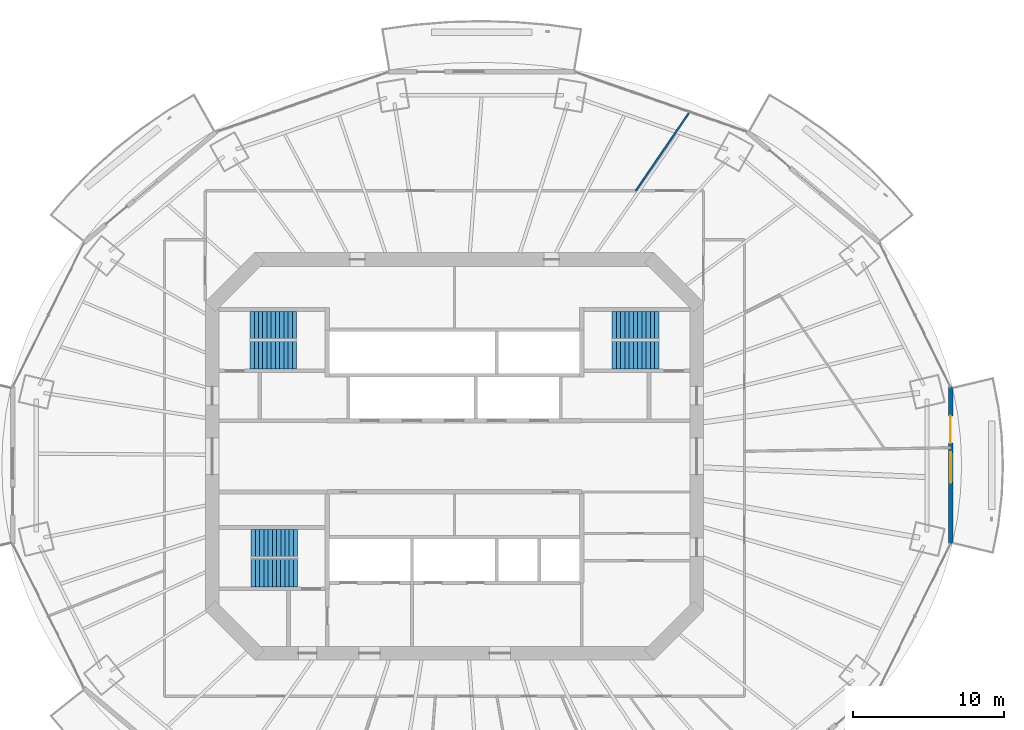
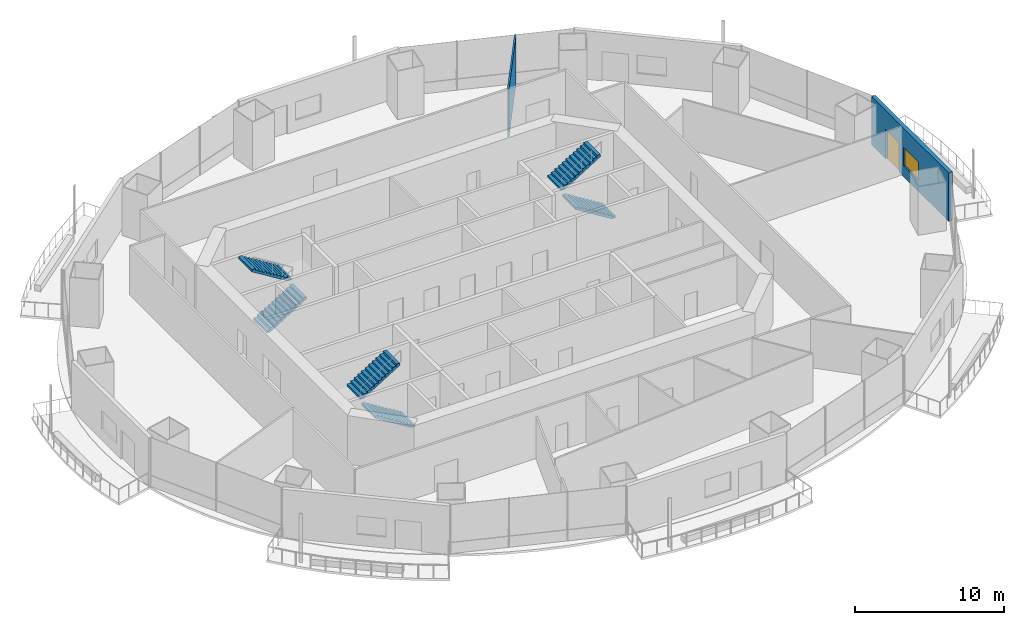
# One storey, part 15 of 21: 6 stair flights, 2 walls, 1 door, 1 window, 2 openings, 3 elements without a shape of their own.
"""IFC4 building model written with IfcOpenShell, lengths in metres."""

from ifc_helpers import new_model, si_unit, direction, frame, frame_2d, origin, place, context, subcontext, project, spatial, polyline, rectangle, outline, extrude, material, layer, layer_set, type_object, element, fill, aggregate, save


model = new_model("IFC4")

# Units and contexts
model_context = context("Model", 3, precision=1e-05, world=origin(), true_north=direction((0.0, 1.0)))
body_context = subcontext(model_context, "Body", "Model", "MODEL_VIEW")
ifc_project = project(units=[si_unit("LENGTHUNIT", "METRE"), si_unit("AREAUNIT", "SQUARE_METRE"), si_unit("VOLUMEUNIT", "CUBIC_METRE"), si_unit("PLANEANGLEUNIT", "RADIAN"), si_unit("MASSUNIT", "GRAM", prefix="KILO")], contexts=[model_context])

# Site, building, storey
site_placement = place(None, origin())
site = spatial("IfcSite", under=ifc_project, at=site_placement, CompositionType="ELEMENT")
building_placement = place(site_placement, origin())
building = spatial("IfcBuilding", under=site, at=building_placement, Name="Marenthal Gate Tower", CompositionType="ELEMENT")
storey_placement = place(building_placement, frame((0.0, 0.0, 198.39990234375)))
storey = spatial("IfcBuildingStorey", under=building, at=storey_placement, Name="L43", CompositionType="ELEMENT", Elevation=198.39990234375)

# Wall
ifc_material_1 = material(Name="Gypsum board on steel studs", Category="steel")
ifc_layer_1 = layer(ifc_material_1, 0.1201171875)
ifc_layer_set_1 = layer_set([ifc_layer_1], Name="Partition 120")
wall_type_1 = type_object("IfcWallType", Name="Partition 120", PredefinedType="PARTITIONING", material=ifc_layer_set_1)
wall_1_placement = place(storey_placement, frame((11.974365234375, 17.534423828125, 0.0), z_axis=(0.0, 0.0, 1.0), x_axis=(0.563957789677, 0.825803615554, 0.0)))
element("IfcWall", 1, at=wall_1_placement, inside=storey, type_object=wall_type_1, Name="Partition wall 59", PredefinedType="PARTITIONING", context=body_context, shape_type="SweptSolid", body=[
    extrude(rectangle(XDim=6.31787109375, YDim=0.1201171875, at=frame_2d((3.158935546875, 0.0))), origin(), (0.0, 0.0, 1.0), 3.97021484375),
])

# Wall, openings, door, window
ifc_material_2 = material(Name="Terracotta cladding on insulated concrete-block backing", Category="masonry")
ifc_layer_2 = layer(ifc_material_2, 0.300048828125)
ifc_layer_set_2 = layer_set([ifc_layer_2], Name="Terracotta facade wall 300")
wall_type_2 = type_object("IfcWallType", Name="Terracotta facade wall 300", PredefinedType="SOLIDWALL", material=ifc_layer_set_2)
wall_2_placement = place(storey_placement, frame((32.765380859375, -5.768798828125, 0.0), z_axis=(0.0, 0.0, 1.0), x_axis=(0.0, 1.0, 0.0)))
wall_2 = element("IfcWall", 2, at=wall_2_placement, inside=storey, type_object=wall_type_2, Name="Terracotta facade wall L43 bay 16", PredefinedType="SOLIDWALL", context=body_context, shape_type="SweptSolid", body=[
    extrude(rectangle(XDim=10.337646484375, YDim=0.300048828125, at=frame_2d((5.1689453125, 0.0))), origin(), (0.0, 0.0, 1.0), 3.97021484375),
])
opening_1_placement = place(wall_2_placement, frame((6.6376953125, 0.0, 0.0)))
opening_1 = element("IfcOpeningElement", 3, at=opening_1_placement, cuts=wall_2, Name="Opening BD-L43-16", PredefinedType="OPENING", context=body_context, shape_type="SweptSolid", body=[
    extrude(rectangle(XDim=1.800048828125, YDim=2.39990234375, at=frame_2d((0.89990234375, 1.199951171875))), frame((0.0, 0.16015625, 0.0), z_axis=(0.0, -1.0, 0.0), x_axis=(1.0, 0.0, 0.0)), (0.0, 0.0, 1.0), 0.320068359375),
])
opening_2_placement = place(wall_2_placement, frame((4.037841796875, 0.0, 0.89990234375)))
opening_2 = element("IfcOpeningElement", 4, at=opening_2_placement, cuts=wall_2, Name="Opening WN2-L43-16", PredefinedType="OPENING", context=body_context, shape_type="SweptSolid", body=[
    extrude(rectangle(XDim=2.0, YDim=1.5, at=frame_2d((1.0, 0.75))), frame((0.0, 0.16015625, 0.0), z_axis=(0.0, -1.0, 0.0), x_axis=(1.0, 0.0, 0.0)), (0.0, 0.0, 1.0), 0.320068359375),
])
ifc_material_3 = material(Name="Aluminium and glass", Category="aluminium")
door_type = type_object("IfcDoorType", Name="Balcony door 1800x2400", OperationType="DOUBLE_DOOR_SINGLE_SWING", PredefinedType="DOOR", material=ifc_material_3)
door_placement = place(opening_1_placement, origin())
door = element("IfcDoor", 5, at=door_placement, inside=storey, type_object=door_type, Name="Balcony door L43 bay 16", OperationType="SINGLE_SWING_LEFT", OverallHeight=2.39990234375, OverallWidth=1.800048828125, PredefinedType="DOOR", context=body_context, shape_type="SweptSolid", body=[
    extrude(rectangle(XDim=1.800048828125, YDim=2.39990234375, at=frame_2d((0.89990234375, 1.199951171875))), frame((0.0, 0.02490234375, 0.0), z_axis=(0.0, -1.0, 0.0), x_axis=(1.0, 0.0, 0.0)), (0.0, 0.0, 1.0), 0.050048828125),
])
fill(opening_1, door)
ifc_material_4 = material(Name="Aluminium and glass", Category="aluminium")
window_type = type_object("IfcWindowType", Name="Window 2000x1500", PartitioningType="DOUBLE_PANEL_VERTICAL", PredefinedType="WINDOW", material=ifc_material_4)
window_placement = place(opening_2_placement, origin())
window = element("IfcWindow", 6, at=window_placement, inside=storey, type_object=window_type, Name="Window L43 bay 16", OverallHeight=1.5, OverallWidth=2.0, PartitioningType="SINGLE_PANEL", PredefinedType="WINDOW", context=body_context, shape_type="SweptSolid", body=[
    extrude(rectangle(XDim=2.0, YDim=1.5, at=frame_2d((1.0, 0.75))), frame((0.0, 0.030029296875, 0.0), z_axis=(0.0, -1.0, 0.0), x_axis=(1.0, 0.0, 0.0)), (0.0, 0.0, 1.0), 0.06005859375),
])
fill(opening_2, window)

# Stair, stair flights
ifc_material_5 = material(Name="Concrete 40 MPa", Category="concrete")
stair_type = type_object("IfcStairType", Name="Exit stair 1800", PredefinedType="HALF_TURN_STAIR", material=ifc_material_5)
stair_1_placement = place(storey_placement, origin())
stair_1 = element("IfcStair", 7, at=stair_1_placement, inside=storey, type_object=stair_type, Name="Stair ST1", PredefinedType="HALF_TURN_STAIR")
ifc_material_6 = material(Name="Concrete 40 MPa", Category="concrete")
stair_flight_type = type_object("IfcStairFlightType", Name="Stair flight 1800", PredefinedType="STRAIGHT", material=ifc_material_6)
stair_flight_1_placement = place(storey_placement, frame((-13.5, 6.675048828125, 0.0), z_axis=(0.0, 0.0, 1.0), x_axis=(1.0, 0.0, 0.0)))
stair_flight_1 = element("IfcStairFlight", 8, at=stair_flight_1_placement, type_object=stair_flight_type, Name="ST1 flight 1", NumberOfRisers=12, NumberOfTreads=11, PredefinedType="STRAIGHT", RiserHeight=0.172916667, TreadLength=0.28, context=body_context, shape_type="SweptSolid", body=[
    extrude(outline(polyline([(0.0, 0.0), (0.0, 0.1728515625), (0.280029296875, 0.1728515625), (0.280029296875, 0.345947265625), (0.56005859375, 0.345947265625), (0.56005859375, 0.518798828125), (0.840087890625, 0.518798828125), (0.840087890625, 0.691650390625), (1.1201171875, 0.691650390625), (1.1201171875, 0.864501953125), (1.39990234375, 0.864501953125), (1.39990234375, 1.03759765625), (1.679931640625, 1.03759765625), (1.679931640625, 1.21044921875), (1.9599609375, 1.21044921875), (1.9599609375, 1.38330078125), (2.239990234375, 1.38330078125), (2.239990234375, 1.55615234375), (2.52001953125, 1.55615234375), (2.52001953125, 1.729248046875), (2.800048828125, 1.729248046875), (2.800048828125, 1.902099609375), (3.080078125, 1.902099609375), (3.080078125, 2.074951171875), (3.080078125, 1.725830078125), (0.285400390625, 0.0), (0.0, 0.0)])), frame((0.0, 0.89990234375, 0.0), z_axis=(0.0, -1.0, 0.0), x_axis=(1.0, 0.0, 0.0)), (0.0, 0.0, 1.0), 1.800048828125),
])
stair_flight_2_placement = place(storey_placement, frame((-10.419921875, 8.675048828125, 2.0751953125), z_axis=(0.0, 0.0, 1.0), x_axis=(-1.0, 0.0, 0.0)))
stair_flight_2 = element("IfcStairFlight", 9, at=stair_flight_2_placement, type_object=stair_flight_type, Name="ST1 flight 2", NumberOfRisers=12, NumberOfTreads=11, PredefinedType="STRAIGHT", RiserHeight=0.172916667, TreadLength=0.28, context=body_context, shape_type="SweptSolid", body=[
    extrude(outline(polyline([(0.0, 0.0), (0.0, 0.1728515625), (0.280029296875, 0.1728515625), (0.280029296875, 0.345947265625), (0.56005859375, 0.345947265625), (0.56005859375, 0.518798828125), (0.840087890625, 0.518798828125), (0.840087890625, 0.691650390625), (1.1201171875, 0.691650390625), (1.1201171875, 0.864501953125), (1.39990234375, 0.864501953125), (1.39990234375, 1.03759765625), (1.679931640625, 1.03759765625), (1.679931640625, 1.21044921875), (1.9599609375, 1.21044921875), (1.9599609375, 1.38330078125), (2.239990234375, 1.38330078125), (2.239990234375, 1.55615234375), (2.52001953125, 1.55615234375), (2.52001953125, 1.729248046875), (2.800048828125, 1.729248046875), (2.800048828125, 1.902099609375), (3.080078125, 1.902099609375), (3.080078125, 2.074951171875), (3.080078125, 1.725830078125), (0.285400390625, 0.0), (0.0, 0.0)])), frame((0.0, 0.89990234375, 0.0), z_axis=(0.0, -1.0, 0.0), x_axis=(1.0, 0.0, 0.0)), (0.0, 0.0, 1.0), 1.800048828125),
])
aggregate(stair_1, [stair_flight_1, stair_flight_2])

stair_2_placement = place(storey_placement, origin())
stair_2 = element("IfcStair", 10, at=stair_2_placement, inside=storey, type_object=stair_type, Name="Stair ST2", PredefinedType="HALF_TURN_STAIR")
stair_flight_3_placement = place(storey_placement, frame((-10.35009765625, -7.72509765625, 0.0), z_axis=(0.0, 0.0, 1.0), x_axis=(-1.0, 0.0, 0.0)))
stair_flight_3 = element("IfcStairFlight", 11, at=stair_flight_3_placement, type_object=stair_flight_type, Name="ST2 flight 1", NumberOfRisers=12, NumberOfTreads=11, PredefinedType="STRAIGHT", RiserHeight=0.172916667, TreadLength=0.28, context=body_context, shape_type="SweptSolid", body=[
    extrude(outline(polyline([(0.0, 0.0), (0.0, 0.1728515625), (0.280029296875, 0.1728515625), (0.280029296875, 0.345947265625), (0.56005859375, 0.345947265625), (0.56005859375, 0.518798828125), (0.840087890625, 0.518798828125), (0.840087890625, 0.691650390625), (1.1201171875, 0.691650390625), (1.1201171875, 0.864501953125), (1.39990234375, 0.864501953125), (1.39990234375, 1.03759765625), (1.679931640625, 1.03759765625), (1.679931640625, 1.21044921875), (1.9599609375, 1.21044921875), (1.9599609375, 1.38330078125), (2.239990234375, 1.38330078125), (2.239990234375, 1.55615234375), (2.52001953125, 1.55615234375), (2.52001953125, 1.729248046875), (2.800048828125, 1.729248046875), (2.800048828125, 1.902099609375), (3.080078125, 1.902099609375), (3.080078125, 2.074951171875), (3.080078125, 1.725830078125), (0.285400390625, 0.0), (0.0, 0.0)])), frame((0.0, 0.89990234375, 0.0), z_axis=(0.0, -1.0, 0.0), x_axis=(1.0, 0.0, 0.0)), (0.0, 0.0, 1.0), 1.800048828125),
])
stair_flight_4_placement = place(storey_placement, frame((-13.429931640625, -5.72509765625, 2.0751953125), z_axis=(0.0, 0.0, 1.0), x_axis=(1.0, 0.0, 0.0)))
stair_flight_4 = element("IfcStairFlight", 12, at=stair_flight_4_placement, type_object=stair_flight_type, Name="ST2 flight 2", NumberOfRisers=12, NumberOfTreads=11, PredefinedType="STRAIGHT", RiserHeight=0.172916667, TreadLength=0.28, context=body_context, shape_type="SweptSolid", body=[
    extrude(outline(polyline([(0.0, 0.0), (0.0, 0.1728515625), (0.280029296875, 0.1728515625), (0.280029296875, 0.345947265625), (0.56005859375, 0.345947265625), (0.56005859375, 0.518798828125), (0.840087890625, 0.518798828125), (0.840087890625, 0.691650390625), (1.1201171875, 0.691650390625), (1.1201171875, 0.864501953125), (1.39990234375, 0.864501953125), (1.39990234375, 1.03759765625), (1.679931640625, 1.03759765625), (1.679931640625, 1.21044921875), (1.9599609375, 1.21044921875), (1.9599609375, 1.38330078125), (2.239990234375, 1.38330078125), (2.239990234375, 1.55615234375), (2.52001953125, 1.55615234375), (2.52001953125, 1.729248046875), (2.800048828125, 1.729248046875), (2.800048828125, 1.902099609375), (3.080078125, 1.902099609375), (3.080078125, 2.074951171875), (3.080078125, 1.725830078125), (0.285400390625, 0.0), (0.0, 0.0)])), frame((0.0, 0.89990234375, 0.0), z_axis=(0.0, -1.0, 0.0), x_axis=(1.0, 0.0, 0.0)), (0.0, 0.0, 1.0), 1.800048828125),
])
aggregate(stair_2, [stair_flight_3, stair_flight_4])

stair_3_placement = place(storey_placement, origin())
stair_3 = element("IfcStair", 13, at=stair_3_placement, inside=storey, type_object=stair_type, Name="Stair ST3", PredefinedType="HALF_TURN_STAIR")
stair_flight_5_placement = place(storey_placement, frame((13.5, 6.675048828125, 0.0), z_axis=(0.0, 0.0, 1.0), x_axis=(-1.0, 0.0, 0.0)))
stair_flight_5 = element("IfcStairFlight", 14, at=stair_flight_5_placement, type_object=stair_flight_type, Name="ST3 flight 1", NumberOfRisers=12, NumberOfTreads=11, PredefinedType="STRAIGHT", RiserHeight=0.172916667, TreadLength=0.28, context=body_context, shape_type="SweptSolid", body=[
    extrude(outline(polyline([(0.0, 0.0), (0.0, 0.1728515625), (0.280029296875, 0.1728515625), (0.280029296875, 0.345947265625), (0.56005859375, 0.345947265625), (0.56005859375, 0.518798828125), (0.840087890625, 0.518798828125), (0.840087890625, 0.691650390625), (1.1201171875, 0.691650390625), (1.1201171875, 0.864501953125), (1.39990234375, 0.864501953125), (1.39990234375, 1.03759765625), (1.679931640625, 1.03759765625), (1.679931640625, 1.21044921875), (1.9599609375, 1.21044921875), (1.9599609375, 1.38330078125), (2.239990234375, 1.38330078125), (2.239990234375, 1.55615234375), (2.52001953125, 1.55615234375), (2.52001953125, 1.729248046875), (2.800048828125, 1.729248046875), (2.800048828125, 1.902099609375), (3.080078125, 1.902099609375), (3.080078125, 2.074951171875), (3.080078125, 1.725830078125), (0.285400390625, 0.0), (0.0, 0.0)])), frame((0.0, 0.89990234375, 0.0), z_axis=(0.0, -1.0, 0.0), x_axis=(1.0, 0.0, 0.0)), (0.0, 0.0, 1.0), 1.800048828125),
])
stair_flight_6_placement = place(storey_placement, frame((10.419921875, 8.675048828125, 2.0751953125), z_axis=(0.0, 0.0, 1.0), x_axis=(1.0, 0.0, 0.0)))
stair_flight_6 = element("IfcStairFlight", 15, at=stair_flight_6_placement, type_object=stair_flight_type, Name="ST3 flight 2", NumberOfRisers=12, NumberOfTreads=11, PredefinedType="STRAIGHT", RiserHeight=0.172916667, TreadLength=0.28, context=body_context, shape_type="SweptSolid", body=[
    extrude(outline(polyline([(0.0, 0.0), (0.0, 0.1728515625), (0.280029296875, 0.1728515625), (0.280029296875, 0.345947265625), (0.56005859375, 0.345947265625), (0.56005859375, 0.518798828125), (0.840087890625, 0.518798828125), (0.840087890625, 0.691650390625), (1.1201171875, 0.691650390625), (1.1201171875, 0.864501953125), (1.39990234375, 0.864501953125), (1.39990234375, 1.03759765625), (1.679931640625, 1.03759765625), (1.679931640625, 1.21044921875), (1.9599609375, 1.21044921875), (1.9599609375, 1.38330078125), (2.239990234375, 1.38330078125), (2.239990234375, 1.55615234375), (2.52001953125, 1.55615234375), (2.52001953125, 1.729248046875), (2.800048828125, 1.729248046875), (2.800048828125, 1.902099609375), (3.080078125, 1.902099609375), (3.080078125, 2.074951171875), (3.080078125, 1.725830078125), (0.285400390625, 0.0), (0.0, 0.0)])), frame((0.0, 0.89990234375, 0.0), z_axis=(0.0, -1.0, 0.0), x_axis=(1.0, 0.0, 0.0)), (0.0, 0.0, 1.0), 1.800048828125),
])
aggregate(stair_3, [stair_flight_5, stair_flight_6])

save(model, "model.ifc")
